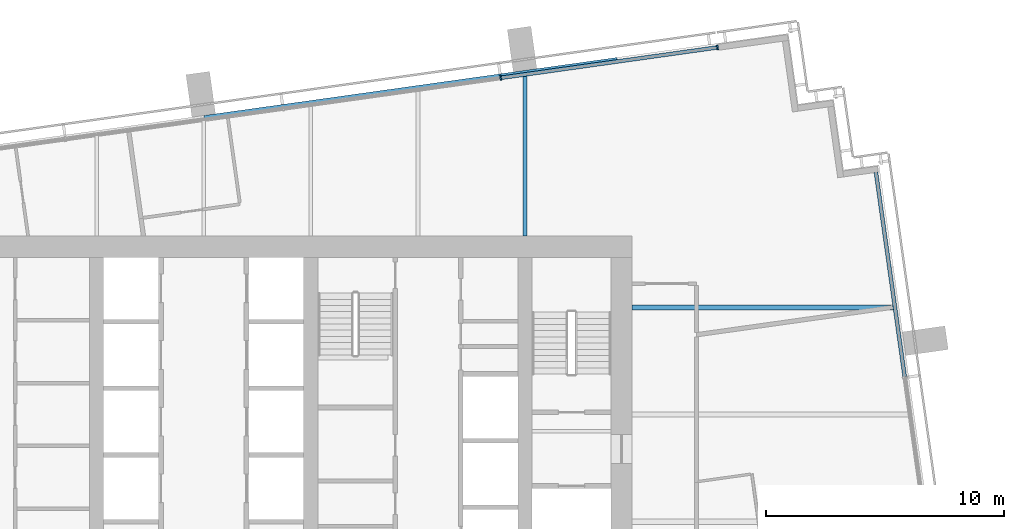
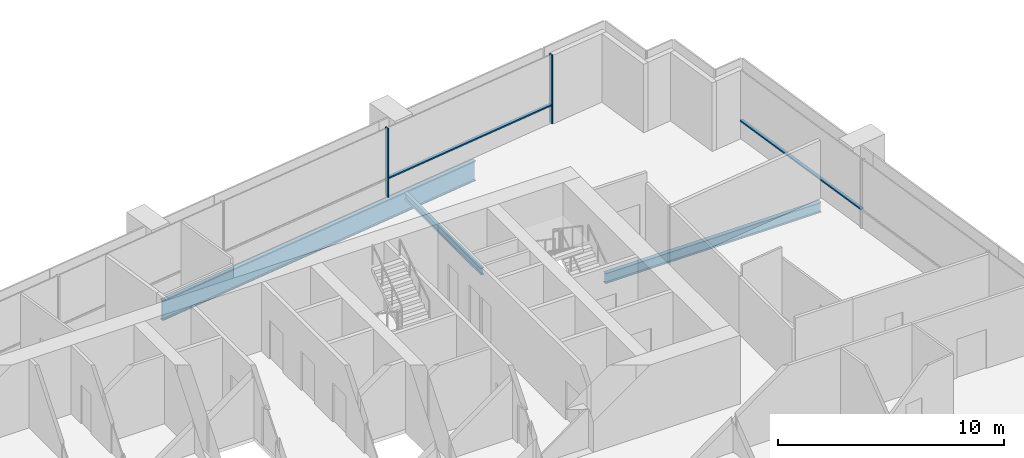
# One storey, part 7 of 18: 4 members, 3 beams, 2 elements without a shape of their own.
"""IFC4 building model written with IfcOpenShell, lengths in metres."""

from ifc_helpers import new_model, si_unit, direction, frame, origin, origin_2d, place, context, subcontext, project, spatial, rectangle, i_section, extrude, material, layer, layer_set, material_profile, profile_set, type_object, element, aggregate, save


model = new_model("IFC4")

# Units and contexts
model_context = context("Model", 3, precision=1e-05, world=origin(), true_north=direction((0.0, 1.0)))
body_context = subcontext(model_context, "Body", "Model", "MODEL_VIEW")
ifc_project = project(units=[si_unit("LENGTHUNIT", "METRE"), si_unit("AREAUNIT", "SQUARE_METRE"), si_unit("VOLUMEUNIT", "CUBIC_METRE"), si_unit("PLANEANGLEUNIT", "RADIAN"), si_unit("MASSUNIT", "GRAM", prefix="KILO")], contexts=[model_context])

# Site, building, storey
site_placement = place(None, origin())
site = spatial("IfcSite", under=ifc_project, at=site_placement, CompositionType="ELEMENT")
building_placement = place(site_placement, origin())
building = spatial("IfcBuilding", under=site, at=building_placement, Name="Rattan Terrace Tower", CompositionType="ELEMENT")
storey_placement = place(building_placement, frame((0.0, 0.0, 233.0)))
storey = spatial("IfcBuildingStorey", under=building, at=storey_placement, Name="L53", CompositionType="ELEMENT", Elevation=233.0)

# Beams
ifc_material_1 = material(Name="Steel S460", Category="steel")
ifc_material_profile_1 = material_profile(ifc_material_1, i_section(OverallWidth=0.179931640625, OverallDepth=1.10009765625, WebThickness=0.01611328125, FlangeThickness=0.050048828125, at=origin_2d()), Name="PG 1100x180-16-50")
ifc_profile_set_1 = profile_set([ifc_material_profile_1], Name="Steel S460")
beam_type_1 = type_object("IfcBeamType", Name="Frame edge girder PG 1100x180-16-50", PredefinedType="SPANDREL", material=ifc_profile_set_1)
beam_1_placement = place(storey_placement, frame((17.3740234375, 14.909912109375, -0.75), z_axis=(-0.990275742813, -0.139118486179, 0.0), x_axis=(0.139118486179, -0.990275742813, 0.0)))
element("IfcBeam", 1, at=beam_1_placement, inside=storey, type_object=beam_type_1, Name="gdr-L53-006", PredefinedType="SPANDREL", context=body_context, shape_type="SweptSolid", body=[
    extrude(i_section(OverallWidth=0.179931640625, OverallDepth=1.10009765625, WebThickness=0.01611328125, FlangeThickness=0.050048828125, at=origin_2d()), origin(), (0.0, 0.0, 1.0), 17.531494140625),
])
ifc_material_2 = material(Name="Steel S355", Category="steel")
ifc_material_profile_2 = material_profile(ifc_material_2, i_section(OverallWidth=0.169921875, OverallDepth=0.360107421875, WebThickness=0.008056640625, FlangeThickness=0.0126953125, FilletRadius=0.01806640625, at=origin_2d()), Name="IPE 360")
ifc_profile_set_2 = profile_set([ifc_material_profile_2], Name="Steel S355")
beam_type_2 = type_object("IfcBeamType", Name="Frame floor beam IPE 360", PredefinedType="JOIST", material=ifc_profile_set_2)
beam_2_placement = place(storey_placement, frame((13.5, 7.5, -0.3798828125), z_axis=(0.0, 1.0, 0.0), x_axis=(-1.0, 0.0, 0.0)))
element("IfcBeam", 2, at=beam_2_placement, inside=storey, type_object=beam_type_2, Name="bm-L53-020", PredefinedType="JOIST", context=body_context, shape_type="SweptSolid", body=[
    extrude(i_section(OverallWidth=0.169921875, OverallDepth=0.360107421875, WebThickness=0.008056640625, FlangeThickness=0.0126953125, FilletRadius=0.01806640625, at=origin_2d()), origin(), (0.0, 0.0, 1.0), 6.762939453125),
])
ifc_material_3 = material(Name="Steel S355", Category="steel")
ifc_material_profile_3 = material_profile(ifc_material_3, i_section(OverallWidth=0.2099609375, OverallDepth=0.550048828125, WebThickness=0.010986328125, FlangeThickness=0.01708984375, FilletRadius=0.02392578125, at=origin_2d()), Name="IPE 550")
ifc_profile_set_3 = profile_set([ifc_material_profile_3], Name="Steel S355")
beam_type_3 = type_object("IfcBeamType", Name="Frame floor beam IPE 550", PredefinedType="JOIST", material=ifc_profile_set_3)
beam_3_placement = place(storey_placement, frame((18.0, 4.5, -0.47509765625), z_axis=(1.0, 0.0, 0.0), x_axis=(0.0, 1.0, 0.0)))
element("IfcBeam", 3, at=beam_3_placement, inside=storey, type_object=beam_type_3, Name="bm-L53-013", PredefinedType="JOIST", context=body_context, shape_type="SweptSolid", body=[
    extrude(i_section(OverallWidth=0.2099609375, OverallDepth=0.550048828125, WebThickness=0.010986328125, FlangeThickness=0.01708984375, FilletRadius=0.02392578125, at=origin_2d()), origin(), (0.0, 0.0, 1.0), 11.013916015625),
])

# Curtain wall, members
ifc_material_4 = material(Name="Aluminium and laminated glass", Category="aluminium")
ifc_layer = layer(ifc_material_4, 0.199951171875)
ifc_layer_set = layer_set([ifc_layer], Name="High-Zone Unitised Curtain Wall")
curtain_wall_type = type_object("IfcCurtainWallType", Name="High-Zone Unitised Curtain Wall", PredefinedType="NOTDEFINED", material=ifc_layer_set)
curtain_wall_1_placement = place(storey_placement, origin())
curtain_wall_1 = element("IfcCurtainWall", 4, at=curtain_wall_1_placement, inside=storey, type_object=curtain_wall_type, Name="High-zone curtain wall L53-2", PredefinedType="NOTDEFINED")
ifc_material_5 = material(Name="Aluminium", Category="aluminium")
ifc_material_profile_4 = material_profile(ifc_material_5, rectangle(XDim=0.070068359375, YDim=0.199951171875, at=origin_2d()), Name="Aluminium 70x200")
ifc_profile_set_4 = profile_set([ifc_material_profile_4], Name="Aluminium")
member_type_1 = type_object("IfcMemberType", Name="High-Zone CW Mullion 70x200", PredefinedType="MULLION", material=ifc_profile_set_4)
member_1_placement = place(storey_placement, frame((21.580078125, 15.4208984375, 0.0), z_axis=(0.0, 0.0, 1.0), x_axis=(-0.990267457022, -0.139177453499, 0.0)))
member_1 = element("IfcMember", 5, at=member_1_placement, type_object=member_type_1, Name="Mullion cwl-L53-002.1", PredefinedType="MULLION", context=body_context, shape_type="SweptSolid", body=[
    extrude(rectangle(XDim=0.070068359375, YDim=0.199951171875, at=origin_2d()), origin(), (0.0, 0.0, 1.0), 3.699951171875),
])
member_2_placement = place(storey_placement, frame((12.473388671875, 14.140869140625, 0.0), z_axis=(0.0, 0.0, 1.0), x_axis=(-0.990267457022, -0.139177453499, 0.0)))
member_2 = element("IfcMember", 6, at=member_2_placement, type_object=member_type_1, Name="Mullion cwl-L53-002.2", PredefinedType="MULLION", context=body_context, shape_type="SweptSolid", body=[
    extrude(rectangle(XDim=0.070068359375, YDim=0.199951171875, at=origin_2d()), origin(), (0.0, 0.0, 1.0), 3.699951171875),
])

# Curtain wall, member
curtain_wall_2_placement = place(storey_placement, origin())
curtain_wall_2 = element("IfcCurtainWall", 7, at=curtain_wall_2_placement, inside=storey, type_object=curtain_wall_type, Name="High-zone curtain wall L53-1", PredefinedType="NOTDEFINED")
ifc_material_6 = material(Name="Aluminium", Category="aluminium")
ifc_material_profile_5 = material_profile(ifc_material_6, rectangle(XDim=0.159912109375, YDim=0.070068359375, at=origin_2d()), Name="Aluminium 160x70")
ifc_profile_set_5 = profile_set([ifc_material_profile_5], Name="Aluminium")
member_type_2 = type_object("IfcMemberType", Name="High-Zone CW Transom 160x70", PredefinedType="USERDEFINED", material=ifc_profile_set_5)
member_3_placement = place(storey_placement, frame((29.447509765625, 1.585693359375, 1.0), z_axis=(-0.139193563319, 0.990265192729, 0.0), x_axis=(-0.990265192729, -0.139193563319, 0.0)))
member_3 = element("IfcMember", 8, at=member_3_placement, type_object=member_type_2, Name="Transom cwl-L53-001.3", ObjectType="TRANSOM", PredefinedType="USERDEFINED", context=body_context, shape_type="SweptSolid", body=[
    extrude(rectangle(XDim=0.159912109375, YDim=0.070068359375, at=origin_2d()), origin(), (0.0, 0.0, 1.0), 8.669921875),
])
aggregate(curtain_wall_2, [member_3])

# Member
member_4_placement = place(storey_placement, frame((21.54541015625, 15.416015625, 1.0), z_axis=(-0.990265856778, -0.139188838988, 0.0), x_axis=(0.139188838988, -0.990265856778, 0.0)))
member_4 = element("IfcMember", 9, at=member_4_placement, type_object=member_type_2, Name="Transom cwl-L53-002.1", ObjectType="TRANSOM", PredefinedType="USERDEFINED", context=body_context, shape_type="SweptSolid", body=[
    extrude(rectangle(XDim=0.159912109375, YDim=0.070068359375, at=origin_2d()), origin(), (0.0, 0.0, 1.0), 9.126220703125),
])

aggregate(curtain_wall_1, [member_1, member_2, member_4])

save(model, "model.ifc")
